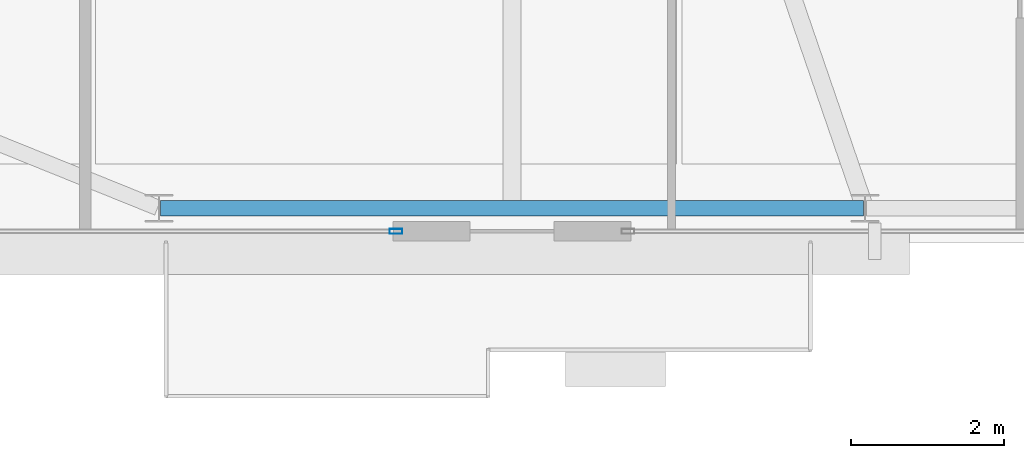
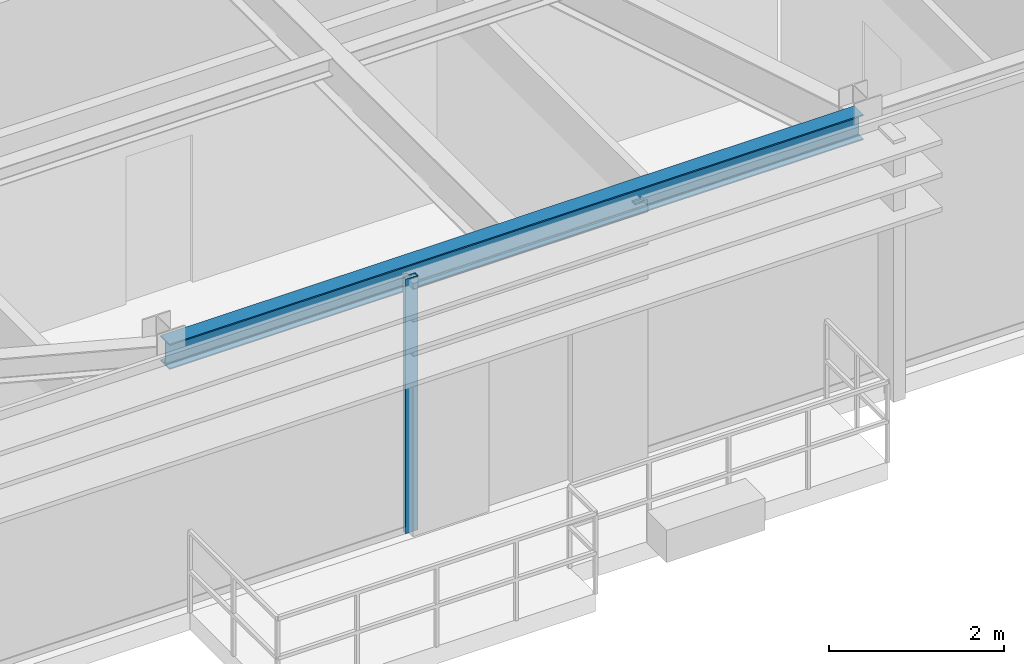
# One storey, part 6 of 30: 1 beam, 1 member, 1 element without a shape of its own.
"""IFC4 building model written with IfcOpenShell, lengths in metres."""

from ifc_helpers import new_model, si_unit, direction, frame, origin, origin_2d, place, context, subcontext, project, spatial, hollow_rectangle, i_section, extrude, source, transform, mapped, material, layer, layer_set, material_profile, profile_set, type_object, type_shapes, element, aggregate, save


model = new_model("IFC4")

# Units and contexts
model_context = context("Model", 3, precision=1e-05, world=origin(), true_north=direction((0.0, 1.0)))
body_context = subcontext(model_context, "Body", "Model", "MODEL_VIEW")
ifc_project = project(units=[si_unit("LENGTHUNIT", "METRE"), si_unit("AREAUNIT", "SQUARE_METRE"), si_unit("VOLUMEUNIT", "CUBIC_METRE"), si_unit("PLANEANGLEUNIT", "RADIAN"), si_unit("MASSUNIT", "GRAM", prefix="KILO")], contexts=[model_context])

# Site, building, storey
site_placement = place(None, origin())
site = spatial("IfcSite", under=ifc_project, at=site_placement, CompositionType="ELEMENT")
building_placement = place(site_placement, origin())
building = spatial("IfcBuilding", under=site, at=building_placement, Name="Varnel Quay Broadcast Tower", CompositionType="ELEMENT")
storey_placement = place(building_placement, frame((0.0, 0.0, 222.60009765625)))
storey = spatial("IfcBuildingStorey", under=building, at=storey_placement, Name="L55", CompositionType="ELEMENT", Elevation=222.60009765625)

# Beam
ifc_material_1 = material(Name="Structural Steel CSA G40.21 350W", Category="steel")
ifc_material_profile_1 = material_profile(ifc_material_1, i_section(OverallWidth=0.205078125, OverallDepth=0.35400390625, WebThickness=0.009521484375, FlangeThickness=0.016845703125, FilletRadius=0.012939453125, at=origin_2d()), Name="W360X79")
ifc_profile_set_1 = profile_set([ifc_material_profile_1], Name="Structural Steel CSA G40.21 350W")
beam_type = type_object("IfcBeamType", Name="Beam_W360X79", PredefinedType="SPANDREL", material=ifc_profile_set_1)
shared_shape_1 = source(origin(), body_context, "Body", "SweptSolid", [
    extrude(i_section(OverallWidth=0.205078125, OverallDepth=0.35400390625, WebThickness=0.009521484375, FlangeThickness=0.016845703125, FilletRadius=0.012939453125, at=origin_2d()), origin(), (0.0, 0.0, 1.0), 9.159912109375),
])
type_shapes(beam_type, [shared_shape_1])
beam_placement = place(storey_placement, frame((20.219970703125, 10.64990234375, 3.372802734375), z_axis=(1.0, 0.0, 0.0), x_axis=(0.0, 1.0, 0.0)))
element("IfcBeam", 1, at=beam_placement, inside=storey, type_object=beam_type, Name="L55 South Spandrel TC-S1-TC-S2", PredefinedType="SPANDREL", context=body_context, shape_type="MappedRepresentation", body=[
    mapped(shared_shape_1, transform((0.0, 0.0, 0.0), x_axis=(1.0, 0.0, 0.0), y_axis=(0.0, 1.0, 0.0), z_axis=(0.0, 0.0, 1.0), scale=1.0)),
])

# Curtain wall, member
ifc_material_2 = material(Name="Anodised Bronze Aluminium 6063-T6", Category="aluminium")
ifc_layer = layer(ifc_material_2, 0.18994140625, Name="Anodised Bronze Aluminium 6063-T6")
ifc_layer_set = layer_set([ifc_layer], Name="Anodised Bronze Aluminium 6063-T6")
curtain_wall_type = type_object("IfcCurtainWallType", Name="CW_UpperTower", PredefinedType="NOTDEFINED", material=ifc_layer_set)
curtain_wall_placement = place(storey_placement, origin())
curtain_wall = element("IfcCurtainWall", 2, at=curtain_wall_placement, inside=storey, type_object=curtain_wall_type, Name="L55 South Unitised Curtain Wall 1", PredefinedType="NOTDEFINED")
ifc_material_profile_2 = material_profile(ifc_material_2, hollow_rectangle(XDim=0.06494140625, YDim=0.1650390625, WallThickness=0.00341796875, at=origin_2d()), Name="ALU65X165X3.5")
ifc_profile_set_2 = profile_set([ifc_material_profile_2], Name="Anodised Bronze Aluminium 6063-T6")
member_type = type_object("IfcMemberType", Name="Mull_CWS-03", PredefinedType="MULLION", material=ifc_profile_set_2)
shared_shape_2 = source(origin(), body_context, "Body", "SweptSolid", [
    extrude(hollow_rectangle(XDim=0.06494140625, YDim=0.1650390625, WallThickness=0.00341796875, at=origin_2d()), origin(), (0.0, 0.0, 1.0), 3.5498046875),
])
type_shapes(member_type, [shared_shape_2])
member_placement = place(storey_placement, frame((23.28759765625, 10.35009765625, 0.0), z_axis=(0.0, 0.0, 1.0), x_axis=(0.0, 1.0, 0.0)))
member = element("IfcMember", 3, at=member_placement, type_object=member_type, Name="CWS-03 mullion 2", PredefinedType="MULLION", context=body_context, shape_type="MappedRepresentation", body=[
    mapped(shared_shape_2, transform((0.0, 0.0, 0.0), x_axis=(1.0, 0.0, 0.0), y_axis=(0.0, 1.0, 0.0), z_axis=(0.0, 0.0, 1.0), scale=1.0)),
])
aggregate(curtain_wall, [member])

save(model, "model.ifc")
